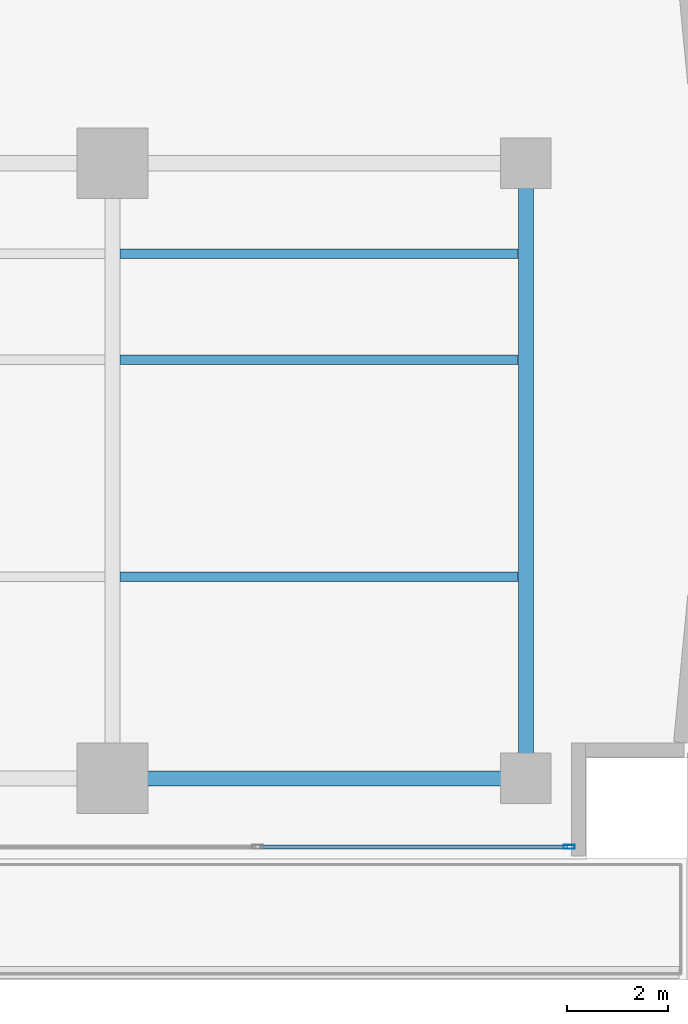
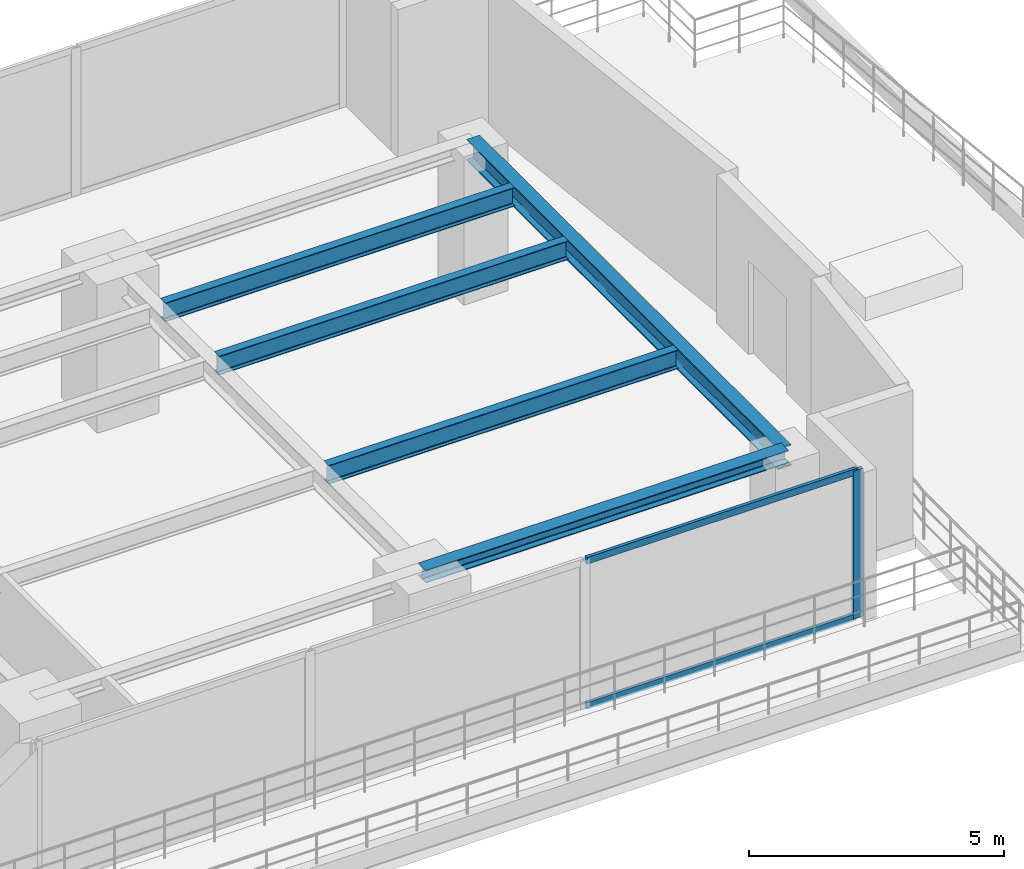
# One storey, part 10 of 26: 5 beams, 3 members, 1 element without a shape of its own.
"""IFC4 building model written with IfcOpenShell, lengths in metres."""

from ifc_helpers import new_model, si_unit, direction, frame, origin, origin_with_axes, origin_2d, place, context, subcontext, project, spatial, hollow_rectangle, i_section, extrude, source, transform, mapped, material, layer, layer_set, material_profile, profile_set, type_object, element, aggregate, save


model = new_model("IFC4")

# Units and contexts
model_context = context("Model", 3, precision=1e-05, world=origin(), true_north=direction((0.0, 1.0)))
body_context = subcontext(model_context, "Body", "Model", "MODEL_VIEW")
ifc_project = project(units=[si_unit("LENGTHUNIT", "METRE"), si_unit("AREAUNIT", "SQUARE_METRE"), si_unit("VOLUMEUNIT", "CUBIC_METRE"), si_unit("PLANEANGLEUNIT", "RADIAN"), si_unit("MASSUNIT", "GRAM", prefix="KILO")], contexts=[model_context])

# Site, building, storey
site_placement = place(None, origin())
site = spatial("IfcSite", under=ifc_project, at=site_placement, CompositionType="ELEMENT")
building_placement = place(site_placement, origin())
building = spatial("IfcBuilding", under=site, at=building_placement, Name="Kolvaren Waterfront Exchange", CompositionType="ELEMENT")
storey_placement = place(building_placement, frame((0.0, 0.0, 87.89990234375)))
storey = spatial("IfcBuildingStorey", under=building, at=storey_placement, Name="L22", CompositionType="ELEMENT", Elevation=87.89990234375)

# Beams
ifc_material_1 = material(Name="Steel S355", Category="steel")
ifc_material_profile_1 = material_profile(ifc_material_1, i_section(OverallWidth=0.300048828125, OverallDepth=0.300048828125, WebThickness=0.010986328125, FlangeThickness=0.01904296875, FilletRadius=0.027099609375, at=origin_2d()), Name="HEB300")
ifc_profile_set_1 = profile_set([ifc_material_profile_1], Name="Steel S355")
beam_type_1 = type_object("IfcBeamType", Name="STR-BM-HEB300", PredefinedType="SPANDREL", material=ifc_profile_set_1)
beam_1_placement = place(storey_placement, frame((45.60009765625, 5.199951171875, 3.39013671875), z_axis=(1.0, 0.0, 0.0), x_axis=(0.0, 1.0, 0.0)))
element("IfcBeam", 1, at=beam_1_placement, inside=storey, type_object=beam_type_1, Name="L22 east-arm spandrel S4", PredefinedType="SPANDREL", context=body_context, shape_type="SweptSolid", body=[
    extrude(i_section(OverallWidth=0.300048828125, OverallDepth=0.300048828125, WebThickness=0.010986328125, FlangeThickness=0.01904296875, FilletRadius=0.027099609375, at=origin_2d()), origin(), (0.0, 0.0, 1.0), 8.199951171875),
])
ifc_material_profile_2 = material_profile(ifc_material_1, i_section(OverallWidth=0.300048828125, OverallDepth=0.5, WebThickness=0.014404296875, FlangeThickness=0.028076171875, FilletRadius=0.027099609375, at=origin_2d()), Name="HEB500")
ifc_profile_set_2 = profile_set([ifc_material_profile_2], Name="Steel S355")
beam_type_2 = type_object("IfcBeamType", Name="STR-BM-HEB500", PredefinedType="BEAM", material=ifc_profile_set_2)
beam_2_placement = place(storey_placement, frame((53.800048828125, 5.199951171875, 3.2900390625), z_axis=(0.0, 1.0, 0.0), x_axis=(-1.0, 0.0, 0.0)))
element("IfcBeam", 2, at=beam_2_placement, inside=storey, type_object=beam_type_2, Name="L22 east-arm transverse girder X53", PredefinedType="BEAM", context=body_context, shape_type="SweptSolid", body=[
    extrude(i_section(OverallWidth=0.300048828125, OverallDepth=0.5, WebThickness=0.014404296875, FlangeThickness=0.028076171875, FilletRadius=0.027099609375, at=origin_2d()), origin(), (0.0, 0.0, 1.0), 12.199951171875),
])
ifc_material_profile_3 = material_profile(ifc_material_1, i_section(OverallWidth=0.18994140625, OverallDepth=0.449951171875, WebThickness=0.009521484375, FlangeThickness=0.0146484375, FilletRadius=0.02099609375, at=origin_2d()), Name="IPE450")
ifc_profile_set_3 = profile_set([ifc_material_profile_3], Name="Steel S355")
beam_type_3 = type_object("IfcBeamType", Name="STR-BM-IPE450", PredefinedType="JOIST", material=ifc_profile_set_3)
for number, where, z_axis, x_axis, name in (
    (3, (45.751953125, 13.5, 3.315185546875), (1.0, 0.0, 0.0), (0.0, 1.0, 0.0), "L22 east-arm composite joist 4A"),
    (4, (45.751953125, 15.60009765625, 3.315185546875), (1.0, 0.0, 0.0), (0.0, 1.0, 0.0), "L22 east-arm composite joist 4C"),
    (5, (45.751953125, 9.199951171875, 3.315185546875), (1.0, 0.0, 0.0), (0.0, 1.0, 0.0), "L22 east-arm composite joist 4B"),
):
    element("IfcBeam", number, at=place(storey_placement, frame(where, z_axis=z_axis, x_axis=x_axis)), inside=storey, type_object=beam_type_3, Name=name, PredefinedType="JOIST", context=body_context, shape_type="SweptSolid", body=[
        extrude(i_section(OverallWidth=0.18994140625, OverallDepth=0.449951171875, WebThickness=0.009521484375, FlangeThickness=0.0146484375, FilletRadius=0.02099609375, at=origin_2d()), origin(), (0.0, 0.0, 1.0), 7.89599609375),
    ])

# Curtain wall, members
ifc_material_2 = material(Name="Anodised bronze aluminium 6063-T6", Category="aluminium")
ifc_layer = layer(ifc_material_2, 0.219970703125, Name="Anodised bronze aluminium 6063-T6")
ifc_layer_set = layer_set([ifc_layer], Name="Anodised bronze aluminium 6063-T6")
curtain_wall_type = type_object("IfcCurtainWallType", Name="ARC-CW-SYS1", PredefinedType="USERDEFINED", material=ifc_layer_set)
curtain_wall_placement = place(storey_placement, origin())
curtain_wall = element("IfcCurtainWall", 6, at=curtain_wall_placement, inside=storey, type_object=curtain_wall_type, Name="L22 stick curtain wall CW1 (CW-L22-S-2)", ObjectType="STICK CURTAIN WALL", PredefinedType="USERDEFINED")
ifc_material_3 = material(Name="Anodised aluminium 6063-T6", Category="aluminium")
ifc_material_profile_4 = material_profile(ifc_material_3, hollow_rectangle(XDim=0.080078125, YDim=0.219970703125, WallThickness=0.0048828125, at=origin_2d()), Name="ALU-MUL-220x80x5")
ifc_profile_set_4 = profile_set([ifc_material_profile_4], Name="Anodised aluminium 6063-T6")
member_type_1 = type_object("IfcMemberType", Name="ARC-CWM-220", PredefinedType="MULLION", material=ifc_profile_set_4)
shared_shape_1 = source(origin_with_axes(), body_context, "Body", "SweptSolid", [
    extrude(hollow_rectangle(XDim=0.080078125, YDim=0.219970703125, WallThickness=0.0048828125, at=origin_2d()), origin(), (0.0, 0.0, 1.0), 3.5400390625),
])
member_1_placement = place(storey_placement, frame((54.659912109375, 3.840087890625, 0.0), z_axis=(0.0, 0.0, 1.0), x_axis=(0.0, 1.0, 0.0)))
member_1 = element("IfcMember", 7, at=member_1_placement, type_object=member_type_1, Name="CW1 mullion 4", PredefinedType="MULLION", context=body_context, shape_type="MappedRepresentation", body=[
    mapped(shared_shape_1, transform((0.0, 0.0, 0.0), x_axis=(1.0, 0.0, 0.0), y_axis=(0.0, 1.0, 0.0), z_axis=(0.0, 0.0, 1.0), scale=1.0)),
])
ifc_material_profile_5 = material_profile(ifc_material_3, hollow_rectangle(XDim=0.074951171875, YDim=0.159912109375, WallThickness=0.00439453125, at=origin_2d()), Name="ALU-TRN-160x75x4.5")
ifc_profile_set_5 = profile_set([ifc_material_profile_5], Name="Anodised aluminium 6063-T6")
member_type_2 = type_object("IfcMemberType", Name="ARC-CWT-160", PredefinedType="USERDEFINED", material=ifc_profile_set_5)
shared_shape_2 = source(origin_with_axes(), body_context, "Body", "SweptSolid", [
    extrude(hollow_rectangle(XDim=0.074951171875, YDim=0.159912109375, WallThickness=0.00439453125, at=origin_2d()), origin(), (0.0, 0.0, 1.0), 6.0966796875),
])
member_2_placement = place(storey_placement, frame((48.5234375, 3.840087890625, 0.03759765625), z_axis=(1.0, 0.0, 0.0), x_axis=(0.0, 1.0, 0.0)))
member_2 = element("IfcMember", 8, at=member_2_placement, type_object=member_type_2, Name="CW1 transom 3.1", ObjectType="TRANSOM", PredefinedType="USERDEFINED", context=body_context, shape_type="MappedRepresentation", body=[
    mapped(shared_shape_2, transform((0.0, 0.0, 0.0), x_axis=(1.0, 0.0, 0.0), y_axis=(0.0, 1.0, 0.0), z_axis=(0.0, 0.0, 1.0), scale=1.0)),
])
member_3_placement = place(storey_placement, frame((48.5234375, 3.840087890625, 3.502685546875), z_axis=(1.0, 0.0, 0.0), x_axis=(0.0, 1.0, 0.0)))
member_3 = element("IfcMember", 9, at=member_3_placement, type_object=member_type_2, Name="CW1 transom 3.2", ObjectType="TRANSOM", PredefinedType="USERDEFINED", context=body_context, shape_type="MappedRepresentation", body=[
    mapped(shared_shape_2, transform((0.0, 0.0, 0.0), x_axis=(1.0, 0.0, 0.0), y_axis=(0.0, 1.0, 0.0), z_axis=(0.0, 0.0, 1.0), scale=1.0)),
])
aggregate(curtain_wall, [member_1, member_2, member_3])

save(model, "model.ifc")
